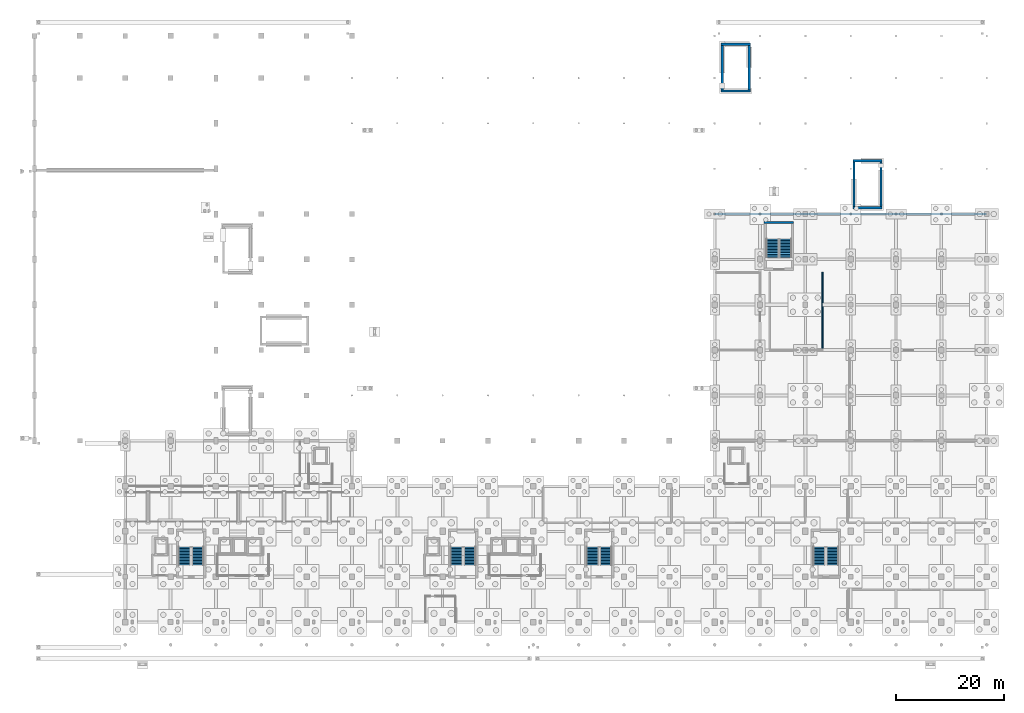
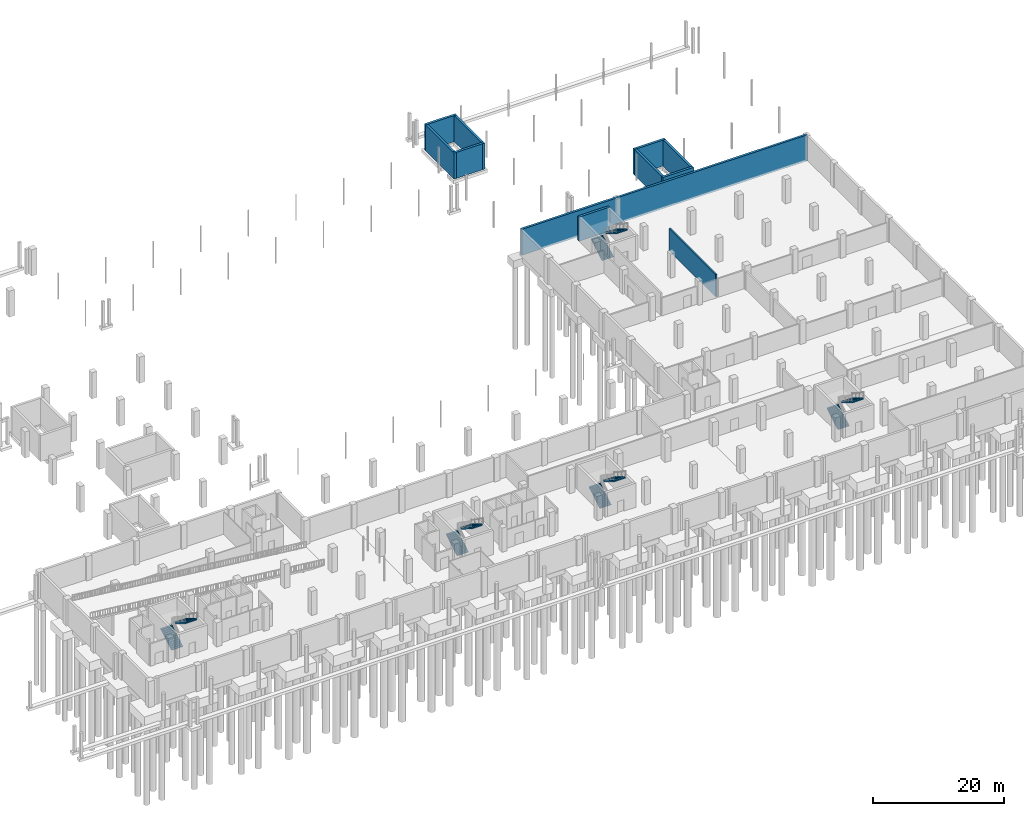
# One storey, part 36 of 39: 11 walls, 10 stair flights, 5 elements without a shape of their own.
"""IFC4 building model written with IfcOpenShell, lengths in metres."""

from ifc_helpers import new_model, si_unit, derived_unit, direction, frame, frame_2d, origin, place, context, subcontext, project, spatial, polyline, rectangle, outline, extrude, material, layer, layer_set, type_object, element, aggregate, save


model = new_model("IFC4")

# Units and contexts
model_context = context("Model", 3, precision=1e-05, world=origin(), true_north=direction((0.0, 1.0)))
body_context = subcontext(model_context, "Body", "Model", "MODEL_VIEW")
ifc_project = project(units=[si_unit("LENGTHUNIT", "METRE"), si_unit("AREAUNIT", "SQUARE_METRE"), si_unit("VOLUMEUNIT", "CUBIC_METRE"), si_unit("PLANEANGLEUNIT", "RADIAN"), si_unit("MASSUNIT", "GRAM", prefix="KILO"), derived_unit("THERMALTRANSMITTANCEUNIT", [(si_unit("POWERUNIT", "WATT"), 1), (si_unit("LENGTHUNIT", "METRE"), -2), (si_unit("THERMODYNAMICTEMPERATUREUNIT", "KELVIN"), -1)])], contexts=[model_context])

# Site, building, storey
site_placement = place(None, origin())
site = spatial("IfcSite", under=ifc_project, at=site_placement, CompositionType="ELEMENT")
building_placement = place(site_placement, origin())
building = spatial("IfcBuilding", under=site, at=building_placement, Name="Barrovel Congress Hotel", CompositionType="ELEMENT")
storey_placement = place(building_placement, frame((0.0, 0.0, -4.5)))
storey = spatial("IfcBuildingStorey", under=building, at=storey_placement, Name="B01", CompositionType="ELEMENT", Elevation=-4.5)

# Walls
ifc_material_1 = material(Name="Concrete C40", Category="concrete")
ifc_layer_1 = layer(ifc_material_1, 0.39990234375)
ifc_layer_set_1 = layer_set([ifc_layer_1], Name="Concrete C40")
wall_type_1 = type_object("IfcWallType", Name="EW-RET400", PredefinedType="STANDARD", material=ifc_layer_set_1)
wall_1_placement = place(storey_placement, frame((176.39990234375, 79.800048828125, -0.360107421875), z_axis=(0.0, 0.0, 1.0), x_axis=(-1.0, 0.0, 0.0)))
element("IfcWall", 1, at=wall_1_placement, inside=storey, type_object=wall_type_1, Name="EW:B01:RET-03", PredefinedType="STANDARD", context=body_context, shape_type="SweptSolid", body=[
    extrude(rectangle(XDim=50.39990234375, YDim=0.39990234375, at=frame_2d((25.199951171875, 0.0))), origin(), (0.0, 0.0, 1.0), 4.860107421875),
])
ifc_material_2 = material(Name="Fired Clay Brick Masonry", Category="masonry")
ifc_layer_2 = layer(ifc_material_2, 0.239990234375)
ifc_layer_set_2 = layer_set([ifc_layer_2], Name="Fired Clay Brick Masonry")
wall_type_2 = type_object("IfcWallType", Name="PW-MAS-240", PredefinedType="PARTITIONING", material=ifc_layer_set_2)
wall_2_placement = place(storey_placement, frame((145.97998046875, 54.739990234375, 0.0), z_axis=(0.0, 0.0, 1.0), x_axis=(0.0, 1.0, 0.0)))
element("IfcWall", 2, at=wall_2_placement, inside=storey, type_object=wall_type_2, Name="RW:SP:B01:CIST-R:E", PredefinedType="PARTITIONING", context=body_context, shape_type="SweptSolid", body=[
    extrude(rectangle(XDim=14.239990234375, YDim=0.239990234375, at=frame_2d((7.1201171875, 0.0))), origin(), (0.0, 0.0, 1.0), 4.175048828125),
])
ifc_material_3 = material(Name="Concrete C50", Category="concrete")
ifc_layer_3 = layer(ifc_material_3, 0.419921875)
ifc_layer_set_3 = layer_set([ifc_layer_3], Name="Concrete C50")
wall_type_3 = type_object("IfcWallType", Name="SW-C50-420", PredefinedType="SHEAR", material=ifc_layer_set_3)
wall_3_placement = place(storey_placement, frame((151.580078125, 80.989990234375, -0.360107421875), z_axis=(0.0, 0.0, 1.0), x_axis=(1.0, 0.0, 0.0)))
element("IfcWall", 3, at=wall_3_placement, inside=storey, type_object=wall_type_3, Name="SHW:XS-06:B01-STEM:S", PredefinedType="SHEAR", context=body_context, shape_type="SweptSolid", body=[
    extrude(rectangle(XDim=5.43994140625, YDim=0.419921875, at=frame_2d((2.719970703125, 0.0))), origin(), (0.0, 0.0, 1.0), 4.860107421875),
])
wall_4_placement = place(storey_placement, frame((156.81005859375, 80.780029296875, -0.360107421875), z_axis=(0.0, 0.0, 1.0), x_axis=(0.0, 1.0, 0.0)))
element("IfcWall", 4, at=wall_4_placement, inside=storey, type_object=wall_type_3, Name="SHW:XS-06:B01-STEM:E", PredefinedType="SHEAR", context=body_context, shape_type="SweptSolid", body=[
    extrude(rectangle(XDim=9.080078125, YDim=0.419921875, at=frame_2d((4.5400390625, 0.0))), origin(), (0.0, 0.0, 1.0), 4.860107421875),
])
wall_5_placement = place(storey_placement, frame((157.02001953125, 89.64990234375, -0.360107421875), z_axis=(0.0, 0.0, 1.0), x_axis=(-1.0, 0.0, 0.0)))
element("IfcWall", 5, at=wall_5_placement, inside=storey, type_object=wall_type_3, Name="SHW:XS-06:B01-STEM:N", PredefinedType="SHEAR", context=body_context, shape_type="SweptSolid", body=[
    extrude(rectangle(XDim=5.43994140625, YDim=0.419921875, at=frame_2d((2.719970703125, 0.0))), origin(), (0.0, 0.0, 1.0), 4.860107421875),
])
wall_6_placement = place(storey_placement, frame((151.7900390625, 89.860107421875, -0.360107421875), z_axis=(0.0, 0.0, 1.0), x_axis=(0.0, -1.0, 0.0)))
element("IfcWall", 6, at=wall_6_placement, inside=storey, type_object=wall_type_3, Name="SHW:XS-06:B01-STEM:W", PredefinedType="SHEAR", context=body_context, shape_type="SweptSolid", body=[
    extrude(rectangle(XDim=9.080078125, YDim=0.419921875, at=frame_2d((4.5400390625, 0.0))), origin(), (0.0, 0.0, 1.0), 4.860107421875),
])
wall_7_placement = place(storey_placement, frame((140.6201171875, 78.25, 0.0), z_axis=(0.0, 0.0, 1.0), x_axis=(-1.0, 0.0, 0.0)))
element("IfcWall", 7, at=wall_7_placement, inside=storey, type_object=wall_type_3, Name="SHW:XS-09:B01:N", PredefinedType="SHEAR", context=body_context, shape_type="SweptSolid", body=[
    extrude(rectangle(XDim=5.440185546875, YDim=0.419921875, at=frame_2d((2.72021484375, 0.0))), origin(), (0.0, 0.0, 1.0), 4.5),
])
wall_8_placement = place(storey_placement, frame((127.179931640625, 102.590087890625, -0.360107421875), z_axis=(0.0, 0.0, 1.0), x_axis=(1.0, 0.0, 0.0)))
element("IfcWall", 8, at=wall_8_placement, inside=storey, type_object=wall_type_3, Name="SHW:XS-10:B01-STEM:S", PredefinedType="SHEAR", context=body_context, shape_type="SweptSolid", body=[
    extrude(rectangle(XDim=5.440185546875, YDim=0.419921875, at=frame_2d((2.72021484375, 0.0))), origin(), (0.0, 0.0, 1.0), 4.860107421875),
])
wall_9_placement = place(storey_placement, frame((132.409912109375, 102.3798828125, -0.360107421875), z_axis=(0.0, 0.0, 1.0), x_axis=(0.0, 1.0, 0.0)))
element("IfcWall", 9, at=wall_9_placement, inside=storey, type_object=wall_type_3, Name="SHW:XS-10:B01-STEM:E", PredefinedType="SHEAR", context=body_context, shape_type="SweptSolid", body=[
    extrude(rectangle(XDim=9.080078125, YDim=0.419921875, at=frame_2d((4.5400390625, 0.0))), origin(), (0.0, 0.0, 1.0), 4.860107421875),
])
wall_10_placement = place(storey_placement, frame((132.6201171875, 111.25, -0.360107421875), z_axis=(0.0, 0.0, 1.0), x_axis=(-1.0, 0.0, 0.0)))
element("IfcWall", 10, at=wall_10_placement, inside=storey, type_object=wall_type_3, Name="SHW:XS-10:B01-STEM:N", PredefinedType="SHEAR", context=body_context, shape_type="SweptSolid", body=[
    extrude(rectangle(XDim=5.440185546875, YDim=0.419921875, at=frame_2d((2.72021484375, 0.0))), origin(), (0.0, 0.0, 1.0), 4.860107421875),
])
wall_11_placement = place(storey_placement, frame((127.389892578125, 111.4599609375, -0.360107421875), z_axis=(0.0, 0.0, 1.0), x_axis=(0.0, -1.0, 0.0)))
element("IfcWall", 11, at=wall_11_placement, inside=storey, type_object=wall_type_3, Name="SHW:XS-10:B01-STEM:W", PredefinedType="SHEAR", context=body_context, shape_type="SweptSolid", body=[
    extrude(rectangle(XDim=9.080078125, YDim=0.419921875, at=frame_2d((4.5400390625, 0.0))), origin(), (0.0, 0.0, 1.0), 4.860107421875),
])

# Stair, stair flights
stair_type_1 = type_object("IfcStairType", Name="STR-HT-450", PredefinedType="HALF_TURN_STAIR", material=ifc_material_1)
stair_1_placement = place(storey_placement, origin())
stair_1 = element("IfcStair", 12, at=stair_1_placement, inside=storey, type_object=stair_type_1, Name="Exit Stair XS-01 (B01)", PredefinedType="HALF_TURN_STAIR")
stair_flight_type_1 = type_object("IfcStairFlightType", Name="SFL-200x225", PredefinedType="STRAIGHT", material=ifc_material_1)
stair_flight_1_placement = place(storey_placement, frame((27.760009765625, 14.739990234375, 0.0), z_axis=(0.0, 0.0, 1.0), x_axis=(0.0, 1.0, 0.0)))
stair_flight_1 = element("IfcStairFlight", 13, at=stair_flight_1_placement, type_object=stair_flight_type_1, Name="STAIR:XS-01:B01:F1", NumberOfRisers=13, NumberOfTreads=12, PredefinedType="STRAIGHT", RiserHeight=0.173077, TreadLength=0.285, context=body_context, shape_type="SweptSolid", body=[
    extrude(outline(polyline([(0.0, 0.0), (0.0, 0.173095703125), (0.284912109375, 0.173095703125), (0.284912109375, 0.34619140625), (0.570068359375, 0.34619140625), (0.570068359375, 0.519287109375), (0.85498046875, 0.519287109375), (0.85498046875, 0.6923828125), (1.139892578125, 0.6923828125), (1.139892578125, 0.865478515625), (1.425048828125, 0.865478515625), (1.425048828125, 1.03857421875), (1.7099609375, 1.03857421875), (1.7099609375, 1.21142578125), (1.9951171875, 1.21142578125), (1.9951171875, 1.384521484375), (2.280029296875, 1.384521484375), (2.280029296875, 1.5576171875), (2.56494140625, 1.5576171875), (2.56494140625, 1.730712890625), (2.85009765625, 1.730712890625), (2.85009765625, 1.90380859375), (3.135009765625, 1.90380859375), (3.135009765625, 2.076904296875), (3.419921875, 2.076904296875), (3.419921875, 2.25), (3.419921875, 1.866455078125), (0.3466796875, 0.0), (0.0, 0.0)])), frame((0.0, 1.0, 0.0), z_axis=(0.0, -1.0, 0.0), x_axis=(1.0, 0.0, 0.0)), (0.0, 0.0, 1.0), 2.0),
])
stair_flight_2_placement = place(storey_placement, frame((30.239990234375, 18.159912109375, 2.25), z_axis=(0.0, 0.0, 1.0), x_axis=(0.0, -1.0, 0.0)))
stair_flight_2 = element("IfcStairFlight", 14, at=stair_flight_2_placement, type_object=stair_flight_type_1, Name="STAIR:XS-01:B01:F2", NumberOfRisers=13, NumberOfTreads=12, PredefinedType="STRAIGHT", RiserHeight=0.173077, TreadLength=0.285, context=body_context, shape_type="SweptSolid", body=[
    extrude(outline(polyline([(0.0, 0.0), (0.0, 0.173095703125), (0.284912109375, 0.173095703125), (0.284912109375, 0.34619140625), (0.570068359375, 0.34619140625), (0.570068359375, 0.519287109375), (0.85498046875, 0.519287109375), (0.85498046875, 0.6923828125), (1.139892578125, 0.6923828125), (1.139892578125, 0.865478515625), (1.425048828125, 0.865478515625), (1.425048828125, 1.03857421875), (1.7099609375, 1.03857421875), (1.7099609375, 1.21142578125), (1.9951171875, 1.21142578125), (1.9951171875, 1.384521484375), (2.280029296875, 1.384521484375), (2.280029296875, 1.5576171875), (2.56494140625, 1.5576171875), (2.56494140625, 1.730712890625), (2.85009765625, 1.730712890625), (2.85009765625, 1.90380859375), (3.135009765625, 1.90380859375), (3.135009765625, 2.076904296875), (3.419921875, 2.076904296875), (3.419921875, 2.25), (3.419921875, 1.866455078125), (0.3466796875, 0.0), (0.0, 0.0)])), frame((0.0, 1.0, 0.0), z_axis=(0.0, -1.0, 0.0), x_axis=(1.0, 0.0, 0.0)), (0.0, 0.0, 1.0), 2.0),
])
aggregate(stair_1, [stair_flight_1, stair_flight_2])

stair_2_placement = place(storey_placement, origin())
stair_2 = element("IfcStair", 15, at=stair_2_placement, inside=storey, type_object=stair_type_1, Name="Exit Stair XS-02 (B01)", PredefinedType="HALF_TURN_STAIR")
stair_flight_3_placement = place(storey_placement, frame((78.159912109375, 14.739990234375, 0.0), z_axis=(0.0, 0.0, 1.0), x_axis=(0.0, 1.0, 0.0)))
stair_flight_3 = element("IfcStairFlight", 16, at=stair_flight_3_placement, type_object=stair_flight_type_1, Name="STAIR:XS-02:B01:F1", NumberOfRisers=13, NumberOfTreads=12, PredefinedType="STRAIGHT", RiserHeight=0.173077, TreadLength=0.285, context=body_context, shape_type="SweptSolid", body=[
    extrude(outline(polyline([(0.0, 0.0), (0.0, 0.173095703125), (0.284912109375, 0.173095703125), (0.284912109375, 0.34619140625), (0.570068359375, 0.34619140625), (0.570068359375, 0.519287109375), (0.85498046875, 0.519287109375), (0.85498046875, 0.6923828125), (1.139892578125, 0.6923828125), (1.139892578125, 0.865478515625), (1.425048828125, 0.865478515625), (1.425048828125, 1.03857421875), (1.7099609375, 1.03857421875), (1.7099609375, 1.21142578125), (1.9951171875, 1.21142578125), (1.9951171875, 1.384521484375), (2.280029296875, 1.384521484375), (2.280029296875, 1.5576171875), (2.56494140625, 1.5576171875), (2.56494140625, 1.730712890625), (2.85009765625, 1.730712890625), (2.85009765625, 1.90380859375), (3.135009765625, 1.90380859375), (3.135009765625, 2.076904296875), (3.419921875, 2.076904296875), (3.419921875, 2.25), (3.419921875, 1.866455078125), (0.3466796875, 0.0), (0.0, 0.0)])), frame((0.0, 1.0, 0.0), z_axis=(0.0, -1.0, 0.0), x_axis=(1.0, 0.0, 0.0)), (0.0, 0.0, 1.0), 2.0),
])
stair_flight_4_placement = place(storey_placement, frame((80.639892578125, 18.159912109375, 2.25), z_axis=(0.0, 0.0, 1.0), x_axis=(0.0, -1.0, 0.0)))
stair_flight_4 = element("IfcStairFlight", 17, at=stair_flight_4_placement, type_object=stair_flight_type_1, Name="STAIR:XS-02:B01:F2", NumberOfRisers=13, NumberOfTreads=12, PredefinedType="STRAIGHT", RiserHeight=0.173077, TreadLength=0.285, context=body_context, shape_type="SweptSolid", body=[
    extrude(outline(polyline([(0.0, 0.0), (0.0, 0.173095703125), (0.284912109375, 0.173095703125), (0.284912109375, 0.34619140625), (0.570068359375, 0.34619140625), (0.570068359375, 0.519287109375), (0.85498046875, 0.519287109375), (0.85498046875, 0.6923828125), (1.139892578125, 0.6923828125), (1.139892578125, 0.865478515625), (1.425048828125, 0.865478515625), (1.425048828125, 1.03857421875), (1.7099609375, 1.03857421875), (1.7099609375, 1.21142578125), (1.9951171875, 1.21142578125), (1.9951171875, 1.384521484375), (2.280029296875, 1.384521484375), (2.280029296875, 1.5576171875), (2.56494140625, 1.5576171875), (2.56494140625, 1.730712890625), (2.85009765625, 1.730712890625), (2.85009765625, 1.90380859375), (3.135009765625, 1.90380859375), (3.135009765625, 2.076904296875), (3.419921875, 2.076904296875), (3.419921875, 2.25), (3.419921875, 1.866455078125), (0.3466796875, 0.0), (0.0, 0.0)])), frame((0.0, 1.0, 0.0), z_axis=(0.0, -1.0, 0.0), x_axis=(1.0, 0.0, 0.0)), (0.0, 0.0, 1.0), 2.0),
])
aggregate(stair_2, [stair_flight_3, stair_flight_4])

stair_3_placement = place(storey_placement, origin())
stair_3 = element("IfcStair", 18, at=stair_3_placement, inside=storey, type_object=stair_type_1, Name="Exit Stair XS-03 (B01)", PredefinedType="HALF_TURN_STAIR")
stair_flight_5_placement = place(storey_placement, frame((103.360107421875, 14.739990234375, 0.0), z_axis=(0.0, 0.0, 1.0), x_axis=(0.0, 1.0, 0.0)))
stair_flight_5 = element("IfcStairFlight", 19, at=stair_flight_5_placement, type_object=stair_flight_type_1, Name="STAIR:XS-03:B01:F1", NumberOfRisers=13, NumberOfTreads=12, PredefinedType="STRAIGHT", RiserHeight=0.173077, TreadLength=0.285, context=body_context, shape_type="SweptSolid", body=[
    extrude(outline(polyline([(0.0, 0.0), (0.0, 0.173095703125), (0.284912109375, 0.173095703125), (0.284912109375, 0.34619140625), (0.570068359375, 0.34619140625), (0.570068359375, 0.519287109375), (0.85498046875, 0.519287109375), (0.85498046875, 0.6923828125), (1.139892578125, 0.6923828125), (1.139892578125, 0.865478515625), (1.425048828125, 0.865478515625), (1.425048828125, 1.03857421875), (1.7099609375, 1.03857421875), (1.7099609375, 1.21142578125), (1.9951171875, 1.21142578125), (1.9951171875, 1.384521484375), (2.280029296875, 1.384521484375), (2.280029296875, 1.5576171875), (2.56494140625, 1.5576171875), (2.56494140625, 1.730712890625), (2.85009765625, 1.730712890625), (2.85009765625, 1.90380859375), (3.135009765625, 1.90380859375), (3.135009765625, 2.076904296875), (3.419921875, 2.076904296875), (3.419921875, 2.25), (3.419921875, 1.866455078125), (0.3466796875, 0.0), (0.0, 0.0)])), frame((0.0, 1.0, 0.0), z_axis=(0.0, -1.0, 0.0), x_axis=(1.0, 0.0, 0.0)), (0.0, 0.0, 1.0), 2.0),
])
stair_flight_6_placement = place(storey_placement, frame((105.840087890625, 18.159912109375, 2.25), z_axis=(0.0, 0.0, 1.0), x_axis=(0.0, -1.0, 0.0)))
stair_flight_6 = element("IfcStairFlight", 20, at=stair_flight_6_placement, type_object=stair_flight_type_1, Name="STAIR:XS-03:B01:F2", NumberOfRisers=13, NumberOfTreads=12, PredefinedType="STRAIGHT", RiserHeight=0.173077, TreadLength=0.285, context=body_context, shape_type="SweptSolid", body=[
    extrude(outline(polyline([(0.0, 0.0), (0.0, 0.173095703125), (0.284912109375, 0.173095703125), (0.284912109375, 0.34619140625), (0.570068359375, 0.34619140625), (0.570068359375, 0.519287109375), (0.85498046875, 0.519287109375), (0.85498046875, 0.6923828125), (1.139892578125, 0.6923828125), (1.139892578125, 0.865478515625), (1.425048828125, 0.865478515625), (1.425048828125, 1.03857421875), (1.7099609375, 1.03857421875), (1.7099609375, 1.21142578125), (1.9951171875, 1.21142578125), (1.9951171875, 1.384521484375), (2.280029296875, 1.384521484375), (2.280029296875, 1.5576171875), (2.56494140625, 1.5576171875), (2.56494140625, 1.730712890625), (2.85009765625, 1.730712890625), (2.85009765625, 1.90380859375), (3.135009765625, 1.90380859375), (3.135009765625, 2.076904296875), (3.419921875, 2.076904296875), (3.419921875, 2.25), (3.419921875, 1.866455078125), (0.3466796875, 0.0), (0.0, 0.0)])), frame((0.0, 1.0, 0.0), z_axis=(0.0, -1.0, 0.0), x_axis=(1.0, 0.0, 0.0)), (0.0, 0.0, 1.0), 2.0),
])
aggregate(stair_3, [stair_flight_5, stair_flight_6])

stair_4_placement = place(storey_placement, origin())
stair_4 = element("IfcStair", 21, at=stair_4_placement, inside=storey, type_object=stair_type_1, Name="Exit Stair XS-04 (B01)", PredefinedType="HALF_TURN_STAIR")
stair_flight_7_placement = place(storey_placement, frame((145.360107421875, 14.739990234375, 0.0), z_axis=(0.0, 0.0, 1.0), x_axis=(0.0, 1.0, 0.0)))
stair_flight_7 = element("IfcStairFlight", 22, at=stair_flight_7_placement, type_object=stair_flight_type_1, Name="STAIR:XS-04:B01:F1", NumberOfRisers=13, NumberOfTreads=12, PredefinedType="STRAIGHT", RiserHeight=0.173077, TreadLength=0.285, context=body_context, shape_type="SweptSolid", body=[
    extrude(outline(polyline([(0.0, 0.0), (0.0, 0.173095703125), (0.284912109375, 0.173095703125), (0.284912109375, 0.34619140625), (0.570068359375, 0.34619140625), (0.570068359375, 0.519287109375), (0.85498046875, 0.519287109375), (0.85498046875, 0.6923828125), (1.139892578125, 0.6923828125), (1.139892578125, 0.865478515625), (1.425048828125, 0.865478515625), (1.425048828125, 1.03857421875), (1.7099609375, 1.03857421875), (1.7099609375, 1.21142578125), (1.9951171875, 1.21142578125), (1.9951171875, 1.384521484375), (2.280029296875, 1.384521484375), (2.280029296875, 1.5576171875), (2.56494140625, 1.5576171875), (2.56494140625, 1.730712890625), (2.85009765625, 1.730712890625), (2.85009765625, 1.90380859375), (3.135009765625, 1.90380859375), (3.135009765625, 2.076904296875), (3.419921875, 2.076904296875), (3.419921875, 2.25), (3.419921875, 1.866455078125), (0.3466796875, 0.0), (0.0, 0.0)])), frame((0.0, 1.0, 0.0), z_axis=(0.0, -1.0, 0.0), x_axis=(1.0, 0.0, 0.0)), (0.0, 0.0, 1.0), 2.0),
])
stair_flight_8_placement = place(storey_placement, frame((147.840087890625, 18.159912109375, 2.25), z_axis=(0.0, 0.0, 1.0), x_axis=(0.0, -1.0, 0.0)))
stair_flight_8 = element("IfcStairFlight", 23, at=stair_flight_8_placement, type_object=stair_flight_type_1, Name="STAIR:XS-04:B01:F2", NumberOfRisers=13, NumberOfTreads=12, PredefinedType="STRAIGHT", RiserHeight=0.173077, TreadLength=0.285, context=body_context, shape_type="SweptSolid", body=[
    extrude(outline(polyline([(0.0, 0.0), (0.0, 0.173095703125), (0.284912109375, 0.173095703125), (0.284912109375, 0.34619140625), (0.570068359375, 0.34619140625), (0.570068359375, 0.519287109375), (0.85498046875, 0.519287109375), (0.85498046875, 0.6923828125), (1.139892578125, 0.6923828125), (1.139892578125, 0.865478515625), (1.425048828125, 0.865478515625), (1.425048828125, 1.03857421875), (1.7099609375, 1.03857421875), (1.7099609375, 1.21142578125), (1.9951171875, 1.21142578125), (1.9951171875, 1.384521484375), (2.280029296875, 1.384521484375), (2.280029296875, 1.5576171875), (2.56494140625, 1.5576171875), (2.56494140625, 1.730712890625), (2.85009765625, 1.730712890625), (2.85009765625, 1.90380859375), (3.135009765625, 1.90380859375), (3.135009765625, 2.076904296875), (3.419921875, 2.076904296875), (3.419921875, 2.25), (3.419921875, 1.866455078125), (0.3466796875, 0.0), (0.0, 0.0)])), frame((0.0, 1.0, 0.0), z_axis=(0.0, -1.0, 0.0), x_axis=(1.0, 0.0, 0.0)), (0.0, 0.0, 1.0), 2.0),
])
aggregate(stair_4, [stair_flight_7, stair_flight_8])

stair_type_2 = type_object("IfcStairType", Name="STR-2Q-450", PredefinedType="TWO_QUARTER_TURN_STAIR", material=ifc_material_1)
stair_5_placement = place(storey_placement, origin())
stair_5 = element("IfcStair", 24, at=stair_5_placement, inside=storey, type_object=stair_type_2, Name="Exit Stair XS-09 (B01)", PredefinedType="TWO_QUARTER_TURN_STAIR")
stair_flight_type_2 = type_object("IfcStairFlightType", Name="SFL-205x225", PredefinedType="STRAIGHT", material=ifc_material_1)
stair_flight_9_placement = place(storey_placement, frame((136.68505859375, 71.780029296875, 0.0), z_axis=(0.0, 0.0, 1.0), x_axis=(0.0, 1.0, 0.0)))
stair_flight_9 = element("IfcStairFlight", 25, at=stair_flight_9_placement, type_object=stair_flight_type_2, Name="STAIR:XS-09:B01:F1", NumberOfRisers=13, NumberOfTreads=12, PredefinedType="STRAIGHT", RiserHeight=0.173077, TreadLength=0.285, context=body_context, shape_type="SweptSolid", body=[
    extrude(outline(polyline([(0.0, 0.0), (0.0, 0.173095703125), (0.284912109375, 0.173095703125), (0.284912109375, 0.34619140625), (0.570068359375, 0.34619140625), (0.570068359375, 0.519287109375), (0.85498046875, 0.519287109375), (0.85498046875, 0.6923828125), (1.139892578125, 0.6923828125), (1.139892578125, 0.865478515625), (1.425048828125, 0.865478515625), (1.425048828125, 1.03857421875), (1.7099609375, 1.03857421875), (1.7099609375, 1.21142578125), (1.9951171875, 1.21142578125), (1.9951171875, 1.384521484375), (2.280029296875, 1.384521484375), (2.280029296875, 1.5576171875), (2.56494140625, 1.5576171875), (2.56494140625, 1.730712890625), (2.85009765625, 1.730712890625), (2.85009765625, 1.90380859375), (3.135009765625, 1.90380859375), (3.135009765625, 2.076904296875), (3.419921875, 2.076904296875), (3.419921875, 2.25), (3.419921875, 1.866455078125), (0.3466796875, 0.0), (0.0, 0.0)])), frame((0.0, 1.02490234375, 0.0), z_axis=(0.0, -1.0, 0.0), x_axis=(1.0, 0.0, 0.0)), (0.0, 0.0, 1.0), 2.050048828125),
])
stair_flight_10_placement = place(storey_placement, frame((139.114990234375, 75.199951171875, 2.25), z_axis=(0.0, 0.0, 1.0), x_axis=(0.0, -1.0, 0.0)))
stair_flight_10 = element("IfcStairFlight", 26, at=stair_flight_10_placement, type_object=stair_flight_type_2, Name="STAIR:XS-09:B01:F2", NumberOfRisers=13, NumberOfTreads=12, PredefinedType="STRAIGHT", RiserHeight=0.173077, TreadLength=0.285, context=body_context, shape_type="SweptSolid", body=[
    extrude(outline(polyline([(0.0, 0.0), (0.0, 0.173095703125), (0.284912109375, 0.173095703125), (0.284912109375, 0.34619140625), (0.570068359375, 0.34619140625), (0.570068359375, 0.519287109375), (0.85498046875, 0.519287109375), (0.85498046875, 0.6923828125), (1.139892578125, 0.6923828125), (1.139892578125, 0.865478515625), (1.425048828125, 0.865478515625), (1.425048828125, 1.03857421875), (1.7099609375, 1.03857421875), (1.7099609375, 1.21142578125), (1.9951171875, 1.21142578125), (1.9951171875, 1.384521484375), (2.280029296875, 1.384521484375), (2.280029296875, 1.5576171875), (2.56494140625, 1.5576171875), (2.56494140625, 1.730712890625), (2.85009765625, 1.730712890625), (2.85009765625, 1.90380859375), (3.135009765625, 1.90380859375), (3.135009765625, 2.076904296875), (3.419921875, 2.076904296875), (3.419921875, 2.25), (3.419921875, 1.866455078125), (0.3466796875, 0.0), (0.0, 0.0)])), frame((0.0, 1.02490234375, 0.0), z_axis=(0.0, -1.0, 0.0), x_axis=(1.0, 0.0, 0.0)), (0.0, 0.0, 1.0), 2.050048828125),
])
aggregate(stair_5, [stair_flight_9, stair_flight_10])

save(model, "model.ifc")
